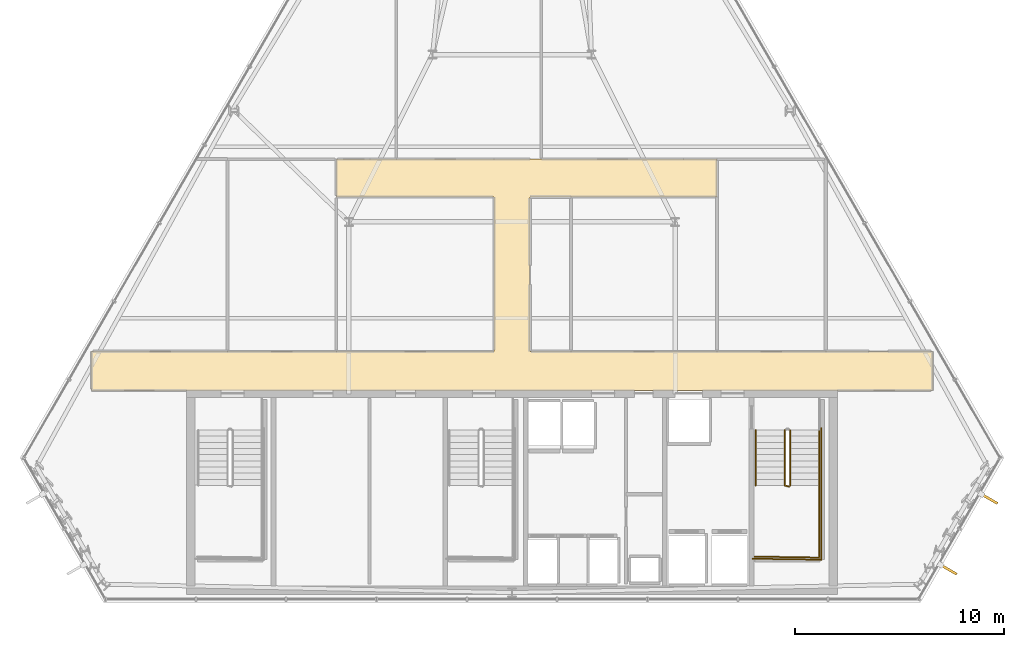
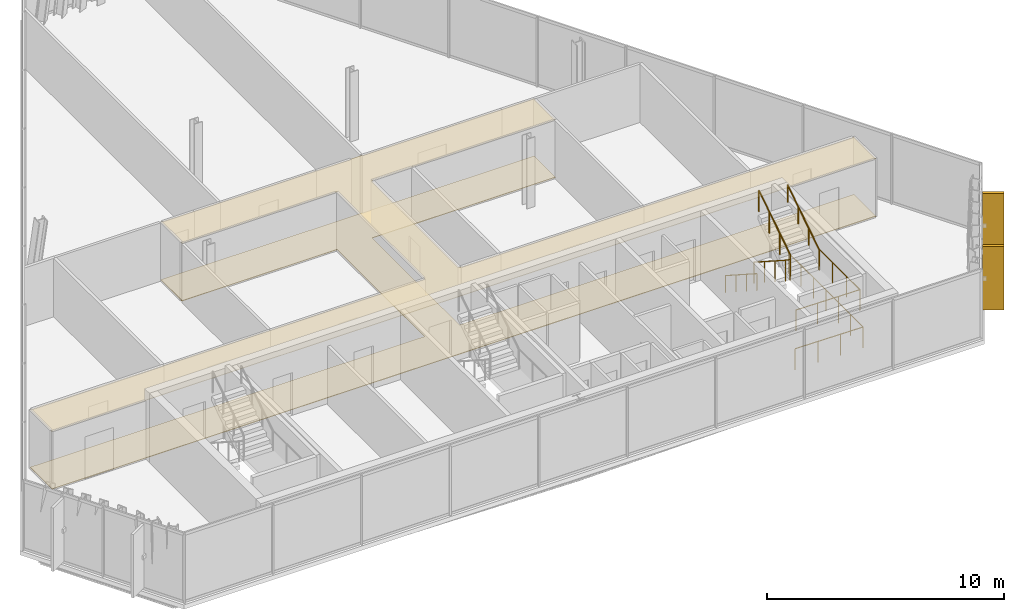
# One storey, part 28 of 30: 6 railings, 2 coverings, 2 shading devices.
"""IFC4 building model written with IfcOpenShell, lengths in metres."""

from ifc_helpers import new_model, si_unit, direction, frame, origin, origin_2d, place, context, subcontext, project, spatial, polyline, rectangle, circle, outline, extrude, material, layer, layer_set, type_object, element, save


model = new_model("IFC4")

# Units and contexts
model_context = context("Model", 3, precision=1e-05, world=origin(), true_north=direction((0.0, 1.0)))
body_context = subcontext(model_context, "Body", "Model", "MODEL_VIEW")
ifc_project = project(units=[si_unit("LENGTHUNIT", "METRE"), si_unit("AREAUNIT", "SQUARE_METRE"), si_unit("VOLUMEUNIT", "CUBIC_METRE"), si_unit("PLANEANGLEUNIT", "RADIAN"), si_unit("MASSUNIT", "GRAM", prefix="KILO")], contexts=[model_context])

# Site, building, storey
site_placement = place(None, origin())
site = spatial("IfcSite", under=ifc_project, at=site_placement, CompositionType="ELEMENT")
building_placement = place(site_placement, origin())
building = spatial("IfcBuilding", under=site, at=building_placement, Name="Ndaravel Arena Tower", CompositionType="ELEMENT")
storey_placement = place(building_placement, frame((0.0, 0.0, 225.60009765625)))
storey = spatial("IfcBuildingStorey", under=building, at=storey_placement, Name="L54", CompositionType="ELEMENT", Elevation=225.60009765625)

# Coverings
ifc_material_1 = material(Name="Acoustic Ceiling Tile", Category="finish")
ifc_layer_1 = layer(ifc_material_1, 0.02490234375)
ifc_layer_set_1 = layer_set([ifc_layer_1], Name="Acoustic Ceiling Tile")
covering_type_1 = type_object("IfcCoveringType", Name="COV-CEIL-AC600", PredefinedType="CEILING", material=ifc_layer_set_1)
covering_1_placement = place(storey_placement, frame((0.0, 0.0, 2.98046875)))
element("IfcCovering", 1, at=covering_1_placement, inside=storey, type_object=covering_type_1, Name="L54 Corridor Acoustic Ceiling", PredefinedType="CEILING", context=body_context, shape_type="SweptSolid", body=[
    extrude(outline(polyline([(62.091064453125, 17.0), (42.85009765625, 17.0), (42.85009765625, 24.39990234375), (51.800048828125, 24.39990234375), (51.800048828125, 26.199951171875), (42.85009765625, 26.199951171875), (41.14990234375, 26.199951171875), (33.60009765625, 26.199951171875), (33.60009765625, 24.39990234375), (41.14990234375, 24.39990234375), (41.14990234375, 17.0), (21.908935546875, 17.0), (21.908935546875, 15.14990234375), (62.091064453125, 15.14990234375), (62.091064453125, 17.0)])), origin(), (0.0, 0.0, 1.0), 0.02490234375),
])
ifc_material_2 = material(Name="Terrazzo", Category="stone")
ifc_layer_2 = layer(ifc_material_2, 0.030029296875)
ifc_layer_set_2 = layer_set([ifc_layer_2], Name="Terrazzo")
covering_type_2 = type_object("IfcCoveringType", Name="COV-FLOOR-TERRAZZO", PredefinedType="FLOORING", material=ifc_layer_set_2)
covering_2_placement = place(storey_placement, origin())
element("IfcCovering", 2, at=covering_2_placement, inside=storey, type_object=covering_type_2, Name="L54 Corridor Terrazzo Flooring", PredefinedType="FLOORING", context=body_context, shape_type="SweptSolid", body=[
    extrude(outline(polyline([(62.091064453125, 17.0), (42.85009765625, 17.0), (42.85009765625, 24.39990234375), (51.800048828125, 24.39990234375), (51.800048828125, 26.199951171875), (42.85009765625, 26.199951171875), (41.14990234375, 26.199951171875), (33.60009765625, 26.199951171875), (33.60009765625, 24.39990234375), (41.14990234375, 24.39990234375), (41.14990234375, 17.0), (21.908935546875, 17.0), (21.908935546875, 15.14990234375), (62.091064453125, 15.14990234375), (62.091064453125, 17.0)])), origin(), (0.0, 0.0, 1.0), 0.02978515625),
])

# Railings
ifc_material_3 = material(Name="Steel S355", Category="steel")
ifc_layer_3 = layer(ifc_material_3, 0.06005859375)
ifc_layer_set_3 = layer_set([ifc_layer_3], Name="Steel S355")
railing_type_1 = type_object("IfcRailingType", Name="RAIL-STAIR-GD1100", PredefinedType="GUARDRAIL", material=ifc_layer_set_3)
railing_1_placement = place(storey_placement, frame((55.050048828125, 13.25, 0.18994140625)))
element("IfcRailing", 3, at=railing_1_placement, inside=storey, type_object=railing_type_1, Name="L54 ST-3 stair guard 1", PredefinedType="GUARDRAIL", context=body_context, shape_type="SweptSolid", body=[
    extrude(circle(Radius=0.02392578125, at=origin_2d()), frame((0.0, 0.0, 1.076171875), z_axis=(0.0, -0.840723540582, 0.54146461409), x_axis=(1.0, 0.0, 0.0)), (0.0, 0.0, 1.0), 3.157958984375),
    extrude(circle(Radius=0.02392578125, at=origin_2d()), frame((0.0, -2.655029296875, 2.7861328125), z_axis=(0.966993988697, -0.254799187253, 0.0), x_axis=(0.254799187253, 0.966993988697, 0.0)), (0.0, 0.0, 1.0), 0.196533203125),
    extrude(circle(Radius=0.02099609375, at=origin_2d()), origin(), (0.0, 0.0, 1.0), 1.052001953125),
    extrude(circle(Radius=0.02099609375, at=origin_2d()), frame((0.0, -0.885009765625, 0.570068359375)), (0.0, 0.0, 1.0), 1.052001953125),
    extrude(circle(Radius=0.02099609375, at=origin_2d()), frame((0.0, -1.77001953125, 1.139892578125)), (0.0, 0.0, 1.0), 1.052001953125),
    extrude(circle(Radius=0.02099609375, at=origin_2d()), frame((0.0, -2.655029296875, 1.7099609375)), (0.0, 0.0, 1.0), 1.052001953125),
    extrude(circle(Radius=0.02099609375, at=origin_2d()), frame((0.18994140625, -2.705078125, 1.7099609375)), (0.0, 0.0, 1.0), 1.052001953125),
])
railing_2_placement = place(storey_placement, frame((56.68994140625, 10.594970703125, 1.89990234375)))
element("IfcRailing", 4, at=railing_2_placement, inside=storey, type_object=railing_type_1, Name="L54 ST-3 stair guard 2", PredefinedType="GUARDRAIL", context=body_context, shape_type="SweptSolid", body=[
    extrude(circle(Radius=0.02392578125, at=origin_2d()), frame((0.0, 0.0, 1.076171875), z_axis=(0.0, -1.0, 0.0), x_axis=(1.0, 0.0, 0.0)), (0.0, 0.0, 1.0), 3.445068359375),
    extrude(circle(Radius=0.02392578125, at=origin_2d()), frame((0.0, -3.445068359375, 1.076171875), z_axis=(-0.999868840623, 0.016195726322, 0.0), x_axis=(-0.016195726322, -0.999868840623, 0.0)), (0.0, 0.0, 1.0), 3.09033203125),
    extrude(circle(Radius=0.02099609375, at=origin_2d()), origin(), (0.0, 0.0, 1.0), 1.052001953125),
    extrude(circle(Radius=0.02099609375, at=origin_2d()), frame((0.0, -1.1484375, 0.0)), (0.0, 0.0, 1.0), 1.052001953125),
    extrude(circle(Radius=0.02099609375, at=origin_2d()), frame((0.0, -2.296630859375, 0.0)), (0.0, 0.0, 1.0), 1.052001953125),
    extrude(circle(Radius=0.02099609375, at=origin_2d()), frame((0.0, -3.445068359375, 0.0)), (0.0, 0.0, 1.0), 1.052001953125),
    extrude(circle(Radius=0.02099609375, at=origin_2d()), frame((-1.030029296875, -3.428466796875, 0.0)), (0.0, 0.0, 1.0), 1.052001953125),
    extrude(circle(Radius=0.02099609375, at=origin_2d()), frame((-2.059814453125, -3.41162109375, 0.0)), (0.0, 0.0, 1.0), 1.052001953125),
    extrude(circle(Radius=0.02099609375, at=origin_2d()), frame((-3.08984375, -3.39501953125, 0.0)), (0.0, 0.0, 1.0), 1.052001953125),
])
railing_3_placement = place(storey_placement, frame((55.2900390625, 10.594970703125, 2.08984375)))
element("IfcRailing", 5, at=railing_3_placement, inside=storey, type_object=railing_type_1, Name="L54 ST-3 stair guard 3", PredefinedType="GUARDRAIL", context=body_context, shape_type="SweptSolid", body=[
    extrude(circle(Radius=0.02392578125, at=origin_2d()), frame((0.0, 0.0, 1.076171875), z_axis=(0.0, 0.840723540582, 0.54146461409), x_axis=(-1.0, 0.0, 0.0)), (0.0, 0.0, 1.0), 3.157958984375),
    extrude(circle(Radius=0.02099609375, at=origin_2d()), origin(), (0.0, 0.0, 1.0), 1.052001953125),
    extrude(circle(Radius=0.02099609375, at=origin_2d()), frame((0.0, 0.885009765625, 0.570068359375)), (0.0, 0.0, 1.0), 1.052001953125),
    extrude(circle(Radius=0.02099609375, at=origin_2d()), frame((0.0, 1.77001953125, 1.139892578125)), (0.0, 0.0, 1.0), 1.052001953125),
    extrude(circle(Radius=0.02099609375, at=origin_2d()), frame((0.0, 2.655029296875, 1.7099609375)), (0.0, 0.0, 1.0), 1.052001953125),
])
railing_4_placement = place(storey_placement, frame((56.7900390625, 13.35009765625, 0.0)))
element("IfcRailing", 6, at=railing_4_placement, inside=storey, type_object=railing_type_1, Name="L54 ST-3 stair guard 6", PredefinedType="GUARDRAIL", context=body_context, shape_type="SweptSolid", body=[
    extrude(circle(Radius=0.02392578125, at=origin_2d()), frame((0.0, 0.0, 1.076171875), z_axis=(0.0, -1.0, 0.0), x_axis=(1.0, 0.0, 0.0)), (0.0, 0.0, 1.0), 6.300048828125),
    extrude(circle(Radius=0.02392578125, at=origin_2d()), frame((0.0, -6.300048828125, 1.076171875), z_axis=(-0.99988431412, 0.015210469308, 0.0), x_axis=(-0.015210469308, -0.99988431412, 0.0)), (0.0, 0.0, 1.0), 3.29052734375),
    extrude(circle(Radius=0.02099609375, at=origin_2d()), origin(), (0.0, 0.0, 1.0), 1.052001953125),
    extrude(circle(Radius=0.02099609375, at=origin_2d()), frame((0.0, -1.050048828125, 0.0)), (0.0, 0.0, 1.0), 1.052001953125),
    extrude(circle(Radius=0.02099609375, at=origin_2d()), frame((0.0, -2.10009765625, 0.0)), (0.0, 0.0, 1.0), 1.052001953125),
    extrude(circle(Radius=0.02099609375, at=origin_2d()), frame((0.0, -3.14990234375, 0.0)), (0.0, 0.0, 1.0), 1.052001953125),
    extrude(circle(Radius=0.02099609375, at=origin_2d()), frame((0.0, -4.199951171875, 0.0)), (0.0, 0.0, 1.0), 1.052001953125),
    extrude(circle(Radius=0.02099609375, at=origin_2d()), frame((0.0, -5.25, 0.0)), (0.0, 0.0, 1.0), 1.052001953125),
    extrude(circle(Radius=0.02099609375, at=origin_2d()), frame((0.0, -6.300048828125, 0.0)), (0.0, 0.0, 1.0), 1.052001953125),
    extrude(circle(Radius=0.02099609375, at=origin_2d()), frame((-1.0966796875, -6.283447265625, 0.0)), (0.0, 0.0, 1.0), 1.052001953125),
    extrude(circle(Radius=0.02099609375, at=origin_2d()), frame((-2.193359375, -6.2666015625, 0.0)), (0.0, 0.0, 1.0), 1.052001953125),
    extrude(circle(Radius=0.02099609375, at=origin_2d()), frame((-3.2900390625, -6.25, 0.0)), (0.0, 0.0, 1.0), 1.052001953125),
])
ifc_material_4 = material(Name="Steel S355", Category="steel")
ifc_layer_4 = layer(ifc_material_4, 0.050048828125)
ifc_layer_set_4 = layer_set([ifc_layer_4], Name="Steel S355")
railing_type_2 = type_object("IfcRailingType", Name="RAIL-STAIR-HR920", PredefinedType="HANDRAIL", material=ifc_layer_set_4)
railing_5_placement = place(storey_placement, frame((53.64990234375, 13.25, 0.18994140625)))
element("IfcRailing", 7, at=railing_5_placement, inside=storey, type_object=railing_type_2, Name="L54 ST-3 stair handrail 1", PredefinedType="HANDRAIL", context=body_context, shape_type="SweptSolid", body=[
    extrude(circle(Radius=0.02392578125, at=origin_2d()), frame((0.0, 0.0, 0.8759765625), z_axis=(0.0, -0.840723540582, 0.54146461409), x_axis=(1.0, 0.0, 0.0)), (0.0, 0.0, 1.0), 3.157958984375),
    extrude(circle(Radius=0.02099609375, at=origin_2d()), origin(), (0.0, 0.0, 1.0), 0.851806640625),
    extrude(circle(Radius=0.02099609375, at=origin_2d()), frame((0.0, -0.885009765625, 0.570068359375)), (0.0, 0.0, 1.0), 0.851806640625),
    extrude(circle(Radius=0.02099609375, at=origin_2d()), frame((0.0, -1.77001953125, 1.139892578125)), (0.0, 0.0, 1.0), 0.851806640625),
    extrude(circle(Radius=0.02099609375, at=origin_2d()), frame((0.0, -2.655029296875, 1.7099609375)), (0.0, 0.0, 1.0), 0.851806640625),
])
railing_6_placement = place(storey_placement, frame((56.68994140625, 10.594970703125, 2.08984375)))
element("IfcRailing", 8, at=railing_6_placement, inside=storey, type_object=railing_type_2, Name="L54 ST-3 stair handrail 2", PredefinedType="HANDRAIL", context=body_context, shape_type="SweptSolid", body=[
    extrude(circle(Radius=0.02392578125, at=origin_2d()), frame((0.0, 0.0, 0.8759765625), z_axis=(0.0, 0.840723540582, 0.54146461409), x_axis=(-1.0, 0.0, 0.0)), (0.0, 0.0, 1.0), 3.157958984375),
    extrude(circle(Radius=0.02099609375, at=origin_2d()), origin(), (0.0, 0.0, 1.0), 0.851806640625),
    extrude(circle(Radius=0.02099609375, at=origin_2d()), frame((0.0, 0.885009765625, 0.570068359375)), (0.0, 0.0, 1.0), 0.851806640625),
    extrude(circle(Radius=0.02099609375, at=origin_2d()), frame((0.0, 1.77001953125, 1.139892578125)), (0.0, 0.0, 1.0), 0.851806640625),
    extrude(circle(Radius=0.02099609375, at=origin_2d()), frame((0.0, 2.655029296875, 1.7099609375)), (0.0, 0.0, 1.0), 0.851806640625),
])

# Shading devices
ifc_material_5 = material(Name="Masonry", Category="masonry")
shading_device_type = type_object("IfcShadingDeviceType", Name="SHD-MAZERAS-FIN", PredefinedType="SHUTTER", material=ifc_material_5)
for number, where, z_axis, x_axis, name in (
    (9, (62.87109375, 6.58251953125, 0.14990234375), (0.0, 0.0, 1.0), (0.866025403784, -0.5, 0.0), "L54 Mazeras Stone Solar Fin E2.1"),
    (10, (64.822021484375, 9.961669921875, 0.14990234375), (0.0, 0.0, 1.0), (0.866025403784, -0.5, 0.0), "L54 Mazeras Stone Solar Fin E2.2"),
):
    element("IfcShadingDevice", number, at=place(storey_placement, frame(where, z_axis=z_axis, x_axis=x_axis)), inside=storey, type_object=shading_device_type, Name=name, PredefinedType="SHUTTER", context=body_context, shape_type="SweptSolid", body=[
        extrude(rectangle(XDim=0.89990234375, YDim=0.1201171875, at=origin_2d()), origin(), (0.0, 0.0, 1.0), 3.280029296875),
    ])

save(model, "model.ifc")
